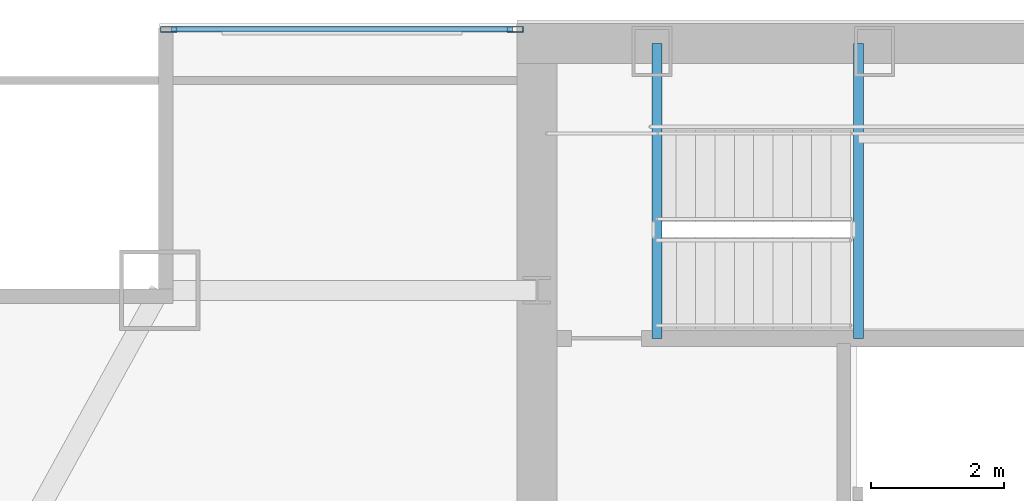
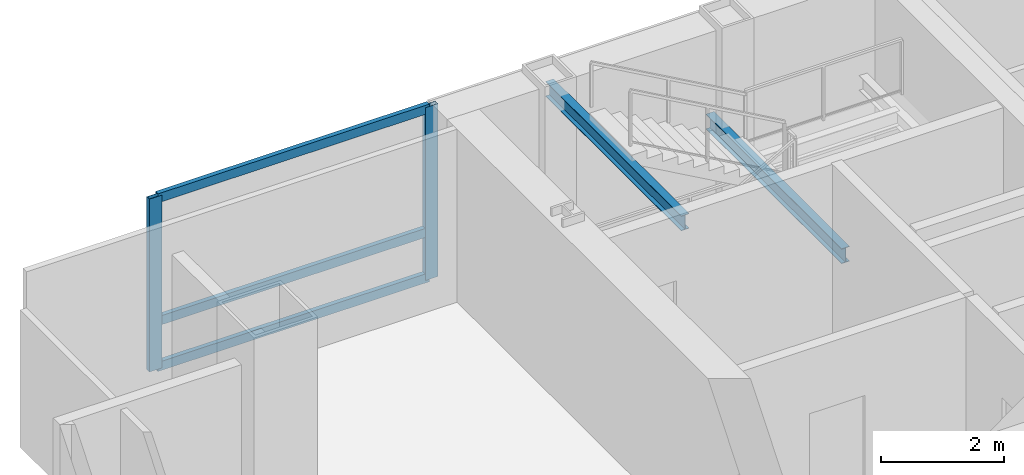
# One storey, part 23 of 32: 5 members, 2 beams, 1 element without a shape of its own.
"""IFC4 building model written with IfcOpenShell, lengths in metres."""

from ifc_helpers import new_model, si_unit, direction, frame, origin, origin_2d, place, context, subcontext, project, spatial, hollow_rectangle, i_section, extrude, material, material_profile, profile_set, type_object, element, aggregate, save


model = new_model("IFC4")

# Units and contexts
model_context = context("Model", 3, precision=1e-05, world=origin(), true_north=direction((0.0, 1.0)))
body_context = subcontext(model_context, "Body", "Model", "MODEL_VIEW")
ifc_project = project(units=[si_unit("LENGTHUNIT", "METRE"), si_unit("AREAUNIT", "SQUARE_METRE"), si_unit("VOLUMEUNIT", "CUBIC_METRE"), si_unit("PLANEANGLEUNIT", "RADIAN"), si_unit("MASSUNIT", "GRAM", prefix="KILO")], contexts=[model_context])

# Site, building, storey
site_placement = place(None, origin())
site = spatial("IfcSite", under=ifc_project, at=site_placement, CompositionType="ELEMENT")
building_placement = place(site_placement, origin())
building = spatial("IfcBuilding", under=site, at=building_placement, Name="Khoronbel Lancet Exchange", CompositionType="ELEMENT")
storey_placement = place(building_placement, frame((0.0, 0.0, 192.199951171875)))
storey = spatial("IfcBuildingStorey", under=building, at=storey_placement, Name="L48", CompositionType="ELEMENT", Elevation=192.199951171875)

# Beams
ifc_material_1 = material(Name="Steel S355", Category="steel")
ifc_material_profile_1 = material_profile(ifc_material_1, i_section(OverallWidth=0.14990234375, OverallDepth=0.300048828125, WebThickness=0.007080078125, FlangeThickness=0.0107421875, at=origin_2d()), Name="IPE 300")
ifc_profile_set_1 = profile_set([ifc_material_profile_1], Name="Steel S355")
beam_type = type_object("IfcBeamType", Name="BM-BJ8", PredefinedType="JOIST", material=ifc_profile_set_1)
for number, where, z_axis, x_axis, name in (
    (1, (21.320068359375, 48.97998046875, 1.449951171875), (0.0, 1.0, 0.0), (-1.0, 0.0, 0.0), "Level L48 stair ST1 landing bearer beam 1"),
    (2, (18.300048828125, 48.97998046875, 3.16015625), (0.0, 1.0, 0.0), (-1.0, 0.0, 0.0), "Level L48 stair ST1 upper-flight arrival trimmer beam"),
):
    element("IfcBeam", number, at=place(storey_placement, frame(where, z_axis=z_axis, x_axis=x_axis)), inside=storey, type_object=beam_type, Name=name, PredefinedType="JOIST", context=body_context, shape_type="SweptSolid", body=[
        extrude(i_section(OverallWidth=0.14990234375, OverallDepth=0.300048828125, WebThickness=0.007080078125, FlangeThickness=0.0107421875, at=origin_2d()), origin(), (0.0, 0.0, 1.0), 4.419921875),
    ])

# Curtain wall, members
ifc_material_2 = material(Name="Low-E Solar Control Insulating Glass", Category="glass")
curtain_wall_type = type_object("IfcCurtainWallType", Name="CW-3", PredefinedType="NOTDEFINED", material=ifc_material_2)
curtain_wall_placement = place(storey_placement, origin())
curtain_wall = element("IfcCurtainWall", 3, at=curtain_wall_placement, inside=storey, type_object=curtain_wall_type, Name="Unitised curtain wall CW-L48-NWFLK", PredefinedType="NOTDEFINED")
ifc_material_3 = material(Name="Bronze-Anodised Aluminium 6063-T6", Category="aluminium")
ifc_material_profile_2 = material_profile(ifc_material_3, hollow_rectangle(XDim=0.0849609375, YDim=0.239990234375, WallThickness=0.006103515625, at=origin_2d()), Name="ALU MULLION 85x240")
ifc_profile_set_2 = profile_set([ifc_material_profile_2], Name="Bronze-Anodised Aluminium 6063-T6")
member_type_1 = type_object("IfcMemberType", Name="MEM-CWM1", PredefinedType="MULLION", material=ifc_profile_set_2)
member_1_placement = place(storey_placement, frame((16.177490234375, 53.610107421875, 0.0), z_axis=(0.0, 0.0, 1.0), x_axis=(0.0, -1.0, 0.0)))
member_1 = element("IfcMember", 4, at=member_1_placement, type_object=member_type_1, Name="CW3 mullion 1", PredefinedType="MULLION", context=body_context, shape_type="SweptSolid", body=[
    extrude(hollow_rectangle(XDim=0.0849609375, YDim=0.239990234375, WallThickness=0.006103515625, at=origin_2d()), origin(), (0.0, 0.0, 1.0), 3.43994140625),
])
member_2_placement = place(storey_placement, frame((10.982421875, 53.610107421875, 0.0), z_axis=(0.0, 0.0, 1.0), x_axis=(0.0, -1.0, 0.0)))
member_2 = element("IfcMember", 5, at=member_2_placement, type_object=member_type_1, Name="CW3 mullion 2", PredefinedType="MULLION", context=body_context, shape_type="SweptSolid", body=[
    extrude(hollow_rectangle(XDim=0.0849609375, YDim=0.239990234375, WallThickness=0.006103515625, at=origin_2d()), origin(), (0.0, 0.0, 1.0), 3.43994140625),
])
ifc_material_profile_3 = material_profile(ifc_material_3, hollow_rectangle(XDim=0.0849609375, YDim=0.179931640625, WallThickness=0.0048828125, at=origin_2d()), Name="ALU TRANSOM 85x180")
ifc_profile_set_3 = profile_set([ifc_material_profile_3], Name="Bronze-Anodised Aluminium 6063-T6")
member_type_2 = type_object("IfcMemberType", Name="MEM-CWT1", PredefinedType="USERDEFINED", material=ifc_profile_set_3)
member_3_placement = place(storey_placement, frame((16.135009765625, 53.610107421875, 0.04248046875), z_axis=(-1.0, 0.0, 0.0), x_axis=(0.0, -1.0, 0.0)))
member_3 = element("IfcMember", 6, at=member_3_placement, type_object=member_type_2, Name="CW3 transom 1.1", ObjectType="TRANSOM", PredefinedType="USERDEFINED", context=body_context, shape_type="SweptSolid", body=[
    extrude(hollow_rectangle(XDim=0.0849609375, YDim=0.179931640625, WallThickness=0.0048828125, at=origin_2d()), origin(), (0.0, 0.0, 1.0), 5.110107421875),
])
member_4_placement = place(storey_placement, frame((16.135009765625, 53.610107421875, 0.949951171875), z_axis=(-1.0, 0.0, 0.0), x_axis=(0.0, -1.0, 0.0)))
member_4 = element("IfcMember", 7, at=member_4_placement, type_object=member_type_2, Name="CW3 transom 1.2", ObjectType="TRANSOM", PredefinedType="USERDEFINED", context=body_context, shape_type="SweptSolid", body=[
    extrude(hollow_rectangle(XDim=0.0849609375, YDim=0.179931640625, WallThickness=0.0048828125, at=origin_2d()), origin(), (0.0, 0.0, 1.0), 5.110107421875),
])
member_5_placement = place(storey_placement, frame((16.135009765625, 53.610107421875, 3.3974609375), z_axis=(-1.0, 0.0, 0.0), x_axis=(0.0, -1.0, 0.0)))
member_5 = element("IfcMember", 8, at=member_5_placement, type_object=member_type_2, Name="CW3 transom 1.3", ObjectType="TRANSOM", PredefinedType="USERDEFINED", context=body_context, shape_type="SweptSolid", body=[
    extrude(hollow_rectangle(XDim=0.0849609375, YDim=0.179931640625, WallThickness=0.0048828125, at=origin_2d()), origin(), (0.0, 0.0, 1.0), 5.110107421875),
])
aggregate(curtain_wall, [member_1, member_2, member_3, member_4, member_5])

save(model, "model.ifc")
